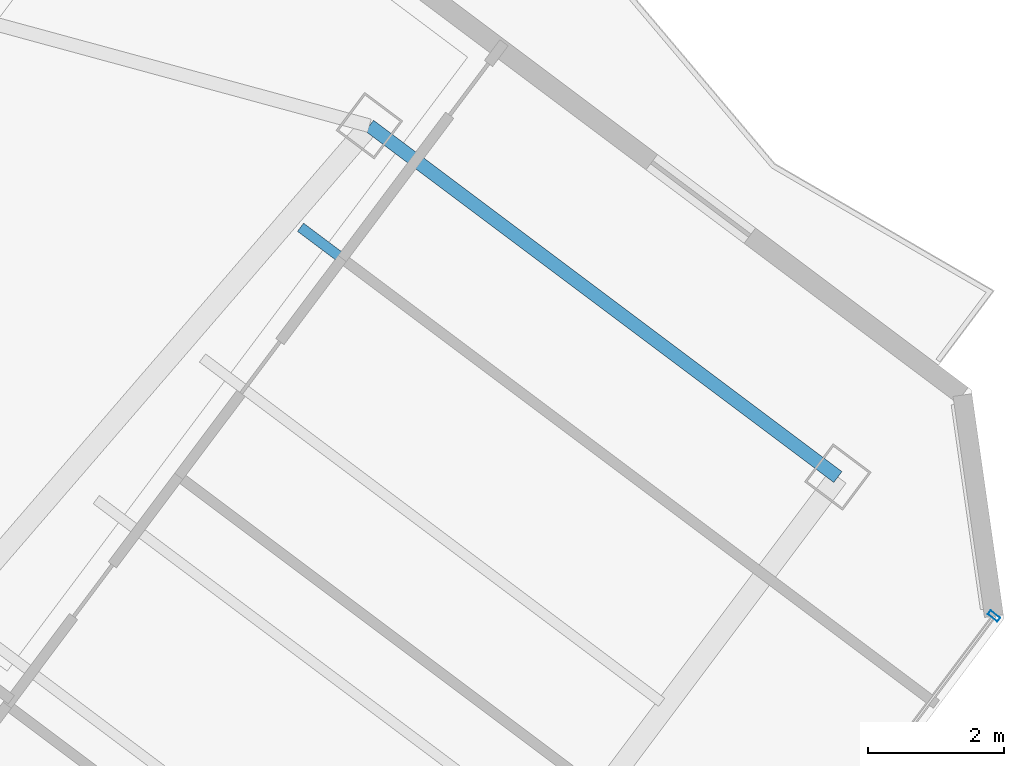
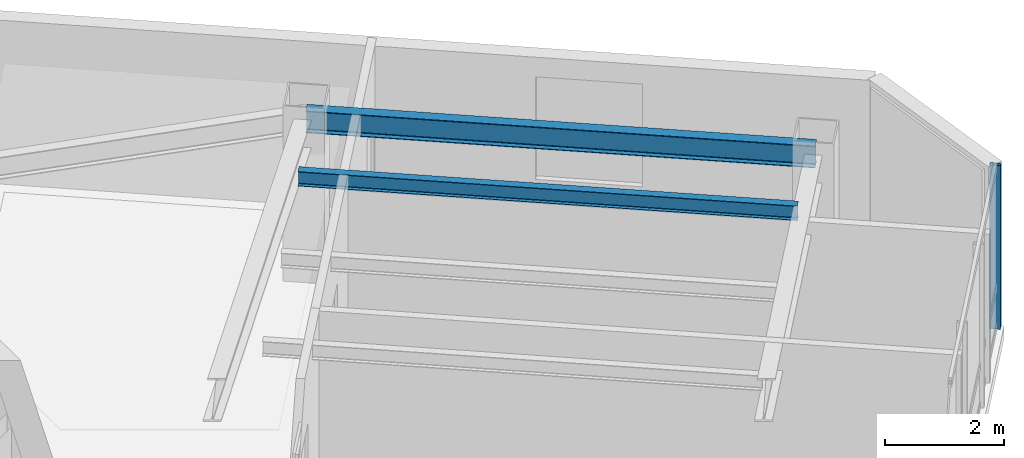
# One storey, part 14 of 25: 2 beams, 1 member, 1 element without a shape of its own.
"""IFC4 building model written with IfcOpenShell, lengths in metres."""

import ifcopenshell
import ifcopenshell.guid

model = None  # the IFC model being written
_history = None  # IfcOwnerHistory: only IFC2X3 demands one
_inside = {}  # id of a spatial element -> (the spatial element, [elements in it])
_under = {}  # id of a project, library or spatial element -> (it, [spatial elements below it])
_declared = {}  # id of a project -> (the project, [libraries it declares])
_typed = {}  # id of a type object -> (the type object, [elements of that type])
_made_of = {}  # id of a material, layer set ... -> (it, [elements and type objects made of it])


def new_model(schema):
    """Start an empty IFC model of exactly this schema.

    Asked for "IFC4X3", IfcOpenShell would pick the latest addendum, in which some entities
    have other attributes; the version numbers below select the first issue.
    IFC2X3 requires an IfcOwnerHistory on every rooted entity: one is made here for all.
    """
    global model, _history
    if schema == "IFC4X3":
        model = ifcopenshell.file(schema_version=(4, 3, 0, 0))
    else:
        model = ifcopenshell.file(schema=schema)
    _inside.clear()
    _under.clear()
    _declared.clear()
    _typed.clear()
    _made_of.clear()
    _history = None
    if model.schema == "IFC2X3":
        org = make("IfcOrganization", Name="unknown")
        user = make(
            "IfcPersonAndOrganization",
            ThePerson=make("IfcPerson", FamilyName="unknown"),
            TheOrganization=org,
        )
        app = make(
            "IfcApplication",
            ApplicationDeveloper=org,
            Version="unknown",
            ApplicationFullName="unknown",
            ApplicationIdentifier="unknown",
        )
        _history = make(
            "IfcOwnerHistory",
            OwningUser=user,
            OwningApplication=app,
            ChangeAction="ADDED",
            CreationDate=0,
        )
    return model


def make(cls, **values):
    """One entity of the class cls with the attributes given. An attribute that is None is left unset."""
    return model.create_entity(
        cls, **{name: value for name, value in values.items() if value is not None}
    )


def rooted(cls, **values):
    """An entity with a GlobalId (a new one), such as an element, a storey or a relation."""
    return make(cls, GlobalId=ifcopenshell.guid.new(), OwnerHistory=_history, **values)


def si_unit(unit_type, name, prefix=None):
    """IfcSIUnit, for example si_unit("LENGTHUNIT", "METRE", prefix="MILLI")."""
    return make("IfcSIUnit", UnitType=unit_type, Prefix=prefix, Name=name)


def assignment(units):
    """IfcUnitAssignment: the units of a project."""
    return None if units is None else make("IfcUnitAssignment", Units=units)


def point(xyz):
    """IfcCartesianPoint."""
    return None if xyz is None else make("IfcCartesianPoint", Coordinates=xyz)


def direction(xyz):
    """IfcDirection."""
    return None if xyz is None else make("IfcDirection", DirectionRatios=xyz)


def frame(location, z_axis=None, x_axis=None):
    """IfcAxis2Placement3D, a coordinate frame: its origin and axes. An axis left out is left unset."""
    return make(
        "IfcAxis2Placement3D",
        Location=point(location),
        Axis=direction(z_axis),
        RefDirection=direction(x_axis),
    )


def frame_2d(location, x_axis=None):
    """IfcAxis2Placement2D, a coordinate frame in the plane: its origin and x axis."""
    return make(
        "IfcAxis2Placement2D", Location=point(location), RefDirection=direction(x_axis)
    )


def origin():
    """The frame at (0, 0, 0) with its axes left unset."""
    return frame((0.0, 0.0, 0.0))


def origin_2d():
    """The frame at (0, 0) in the plane with its x axis left unset."""
    return frame_2d((0.0, 0.0))


def place(relative_to, where):
    """IfcLocalPlacement: puts the frame where relative to a parent placement (None: the world)."""
    return make(
        "IfcLocalPlacement", PlacementRelTo=relative_to, RelativePlacement=where
    )


def context(
    kind, dimensions, precision=None, world=None, true_north=None, identifier=None
):
    """IfcGeometricRepresentationContext, for example the 3D "Model" context."""
    return make(
        "IfcGeometricRepresentationContext",
        ContextIdentifier=identifier,
        ContextType=kind,
        CoordinateSpaceDimension=dimensions,
        Precision=precision,
        WorldCoordinateSystem=world,
        TrueNorth=true_north,
    )


def subcontext(parent, identifier, kind, view, scale=None):
    """IfcGeometricRepresentationSubContext, for example "Body" below "Model"."""
    return make(
        "IfcGeometricRepresentationSubContext",
        ContextIdentifier=identifier,
        ContextType=kind,
        ParentContext=parent,
        TargetScale=scale,
        TargetView=view,
    )


def project(units=None, contexts=None):
    """IfcProject with its units and contexts."""
    return rooted(
        "IfcProject",
        Name="project",
        RepresentationContexts=contexts,
        UnitsInContext=assignment(units),
    )


def spatial(cls, under=None, at=None, **own):
    """A site, building, storey or space (cls), placed at a placement, below another one or the project."""
    s = rooted(cls, ObjectPlacement=at, **own)
    if under is not None:
        _under.setdefault(under.id(), (under, []))[1].append(s)
    return s


def profile(cls, at=None, kind="AREA", **sizes):
    """A parametric profile (cls). Its sizes go by their IFC names, for example OverallWidth=200.0."""
    return make(cls, ProfileType=kind, Position=at, **sizes)


def hollow_rectangle(**sizes):
    """IfcRectangleHollowProfileDef."""
    return profile("IfcRectangleHollowProfileDef", **sizes)


def i_section(**sizes):
    """IfcIShapeProfileDef."""
    return profile("IfcIShapeProfileDef", **sizes)


def extrude(swept, where, along, depth):
    """IfcExtrudedAreaSolid: the profile swept, set in the frame where, extruded along a direction by depth."""
    return make(
        "IfcExtrudedAreaSolid",
        SweptArea=swept,
        Position=where,
        ExtrudedDirection=direction(along),
        Depth=depth,
    )


def shape(context_of_items, identifier, shape_type, items):
    """IfcShapeRepresentation: the items that make up one representation, for example the "Body"."""
    return make(
        "IfcShapeRepresentation",
        ContextOfItems=context_of_items,
        RepresentationIdentifier=identifier,
        RepresentationType=shape_type,
        Items=items,
    )


def material(Name=None, Category=None):
    """IfcMaterial."""
    return make("IfcMaterial", Name=Name, Category=Category)


def layer(
    of_material, thickness, ventilated=None, Name=None, Category=None, Priority=None
):
    """IfcMaterialLayer: one layer of a wall or slab, of a material (None: an air gap)."""
    return make(
        "IfcMaterialLayer",
        Material=of_material,
        LayerThickness=thickness,
        IsVentilated=ventilated,
        Name=Name,
        Category=Category,
        Priority=Priority,
    )


def layer_set(layers, Name=None):
    """IfcMaterialLayerSet."""
    return make("IfcMaterialLayerSet", MaterialLayers=layers, LayerSetName=Name)


def material_profile(
    of_material, cross_section, Name=None, Category=None, Priority=None
):
    """IfcMaterialProfile: a cross section and its material."""
    return make(
        "IfcMaterialProfile",
        Name=Name,
        Material=of_material,
        Profile=cross_section,
        Priority=Priority,
        Category=Category,
    )


def profile_set(profiles, Name=None, composite=None):
    """IfcMaterialProfileSet."""
    return make(
        "IfcMaterialProfileSet",
        Name=Name,
        MaterialProfiles=profiles,
        CompositeProfile=composite,
    )


def made_of(thing, what):
    """Note that an element or type object is made of a material, layer set ...; save() writes the relation."""
    if what is not None:
        _made_of.setdefault(what.id(), (what, []))[1].append(thing)
    return thing


def type_object(cls, material=None, **own):
    """A type object (cls), such as IfcWallType, which elements share."""
    return made_of(rooted(cls, **own), material)


def element(
    cls,
    number,
    at=None,
    inside=None,
    cuts=None,
    type_object=None,
    material=None,
    context=None,
    identifier="Body",
    shape_type=None,
    held_by="IfcProductDefinitionShape",
    body=None,
    shapes=None,
    **own,
):
    """One element of the class cls, such as IfcWall. Its Tag is "e" and its number.

    at: its placement. inside: the storey or other place that contains it. cuts: it is an
    opening in that element (IfcRelVoidsElement). A single representation is given by context,
    identifier, shape_type and body (its items); several are given by shapes. held_by: the class
    of the entity that holds the representations. save() writes the other relations.
    """
    e = rooted(cls, Tag="e%d" % number, ObjectPlacement=at, **own)
    if body is not None:
        shapes = [shape(context, identifier, shape_type, body)]
    if shapes is not None:
        e.Representation = make(held_by, Representations=shapes)
    if inside is not None:
        _inside.setdefault(inside.id(), (inside, []))[1].append(e)
    if cuts is not None:
        rooted(
            "IfcRelVoidsElement", RelatingBuildingElement=cuts, RelatedOpeningElement=e
        )
    if type_object is not None:
        _typed.setdefault(type_object.id(), (type_object, []))[1].append(e)
    return made_of(e, material)


def aggregate(whole, parts):
    """IfcRelAggregates: a whole, such as a stair, and the parts it consists of."""
    return rooted("IfcRelAggregates", RelatingObject=whole, RelatedObjects=parts)


def save(model, path):
    """Write the relations noted so far, then the file.

    IfcRelAggregates (storeys below a building ...), IfcRelContainedInSpatialStructure (elements
    in a storey), IfcRelDefinesByType, IfcRelAssociatesMaterial and IfcRelDeclares: one each for
    every whole, place, type object, material and project.
    """
    for whole, parts in _under.values():
        aggregate(whole, parts)
    for where, things in _inside.values():
        rooted(
            "IfcRelContainedInSpatialStructure",
            RelatedElements=things,
            RelatingStructure=where,
        )
    for kind, things in _typed.values():
        rooted("IfcRelDefinesByType", RelatedObjects=things, RelatingType=kind)
    for what, things in _made_of.values():
        rooted("IfcRelAssociatesMaterial", RelatedObjects=things, RelatingMaterial=what)
    for by, libraries in _declared.values():
        rooted("IfcRelDeclares", RelatingContext=by, RelatedDefinitions=libraries)
    model.write(path)


model = new_model("IFC4")

# Units and contexts
model_context = context("Model", 3, precision=1e-05, world=origin(), true_north=direction((0.0, 1.0)))
body_context = subcontext(model_context, "Body", "Model", "MODEL_VIEW")
ifc_project = project(units=[si_unit("LENGTHUNIT", "METRE"), si_unit("AREAUNIT", "SQUARE_METRE"), si_unit("VOLUMEUNIT", "CUBIC_METRE"), si_unit("PLANEANGLEUNIT", "RADIAN"), si_unit("MASSUNIT", "GRAM", prefix="KILO")], contexts=[model_context])

# Site, building, storey
site_placement = place(None, origin())
site = spatial("IfcSite", under=ifc_project, at=site_placement, CompositionType="ELEMENT")
building_placement = place(site_placement, origin())
building = spatial("IfcBuilding", under=site, at=building_placement, Name="Hatsunagi Terrace Concourse", CompositionType="ELEMENT")
storey_placement = place(building_placement, frame((0.0, 0.0, 223.949951171875)))
storey = spatial("IfcBuildingStorey", under=building, at=storey_placement, Name="L59", CompositionType="ELEMENT", Elevation=223.949951171875)

# Curtain wall, member
ifc_material_1 = material(Name="Anodised Aluminium Alloy 6063-T5", Category="aluminium")
ifc_layer = layer(ifc_material_1, 0.199951171875)
ifc_layer_set = layer_set([ifc_layer], Name="OfficeZone2_CW04")
curtain_wall_type = type_object("IfcCurtainWallType", Name="OfficeZone2_CW04", PredefinedType="NOTDEFINED", material=ifc_layer_set)
curtain_wall_placement = place(storey_placement, origin())
curtain_wall = element("IfcCurtainWall", 1, at=curtain_wall_placement, inside=storey, type_object=curtain_wall_type, Name="Unitised Curtain Wall CW-04 CW-L59-03", PredefinedType="NOTDEFINED")
ifc_material_2 = material(Name="Anodised Aluminium Alloy 6063-T5", Category="aluminium")
ifc_material_profile_1 = material_profile(ifc_material_2, hollow_rectangle(XDim=0.070068359375, YDim=0.179931640625, WallThickness=0.00390625, at=origin_2d()), Name="ALU-MUL-180x70x4")
ifc_profile_set_1 = profile_set([ifc_material_profile_1], Name="Anodised Aluminium Alloy 6063-T5")
member_type = type_object("IfcMemberType", Name="CurtainWallMullion_180x70", PredefinedType="MULLION", material=ifc_profile_set_1)
member_placement = place(storey_placement, frame((60.693115234375, 25.9580078125, 0.0), z_axis=(0.0, 0.0, 1.0), x_axis=(-0.599969314634, -0.800023013105, 0.0)))
member = element("IfcMember", 2, at=member_placement, type_object=member_type, Name="Curtain Wall Mullion MUL-02", PredefinedType="MULLION", context=body_context, shape_type="SweptSolid", body=[
    extrude(hollow_rectangle(XDim=0.070068359375, YDim=0.179931640625, WallThickness=0.00390625, at=origin_2d()), origin(), (0.0, 0.0, 1.0), 3.35009765625),
])
aggregate(curtain_wall, [member])

# Beams
ifc_material_3 = material(Name="Steel SN490B", Category="steel")
ifc_material_profile_2 = material_profile(ifc_material_3, i_section(OverallWidth=0.14990234375, OverallDepth=0.300048828125, WebThickness=0.006591796875, FlangeThickness=0.009033203125, FilletRadius=0.010986328125, at=origin_2d()), Name="H-300x150x6.5x9")
ifc_profile_set_2 = profile_set([ifc_material_profile_2], Name="Steel SN490B")
beam_type_1 = type_object("IfcBeamType", Name="OfficeJoist_H_300x150", PredefinedType="JOIST", material=ifc_profile_set_2)
beam_1_placement = place(storey_placement, frame((50.508056640625, 31.6689453125, 3.199951171875), z_axis=(0.800003475366, -0.59999536615, 0.0), x_axis=(0.59999536615, 0.800003475366, 0.0)))
element("IfcBeam", 3, at=beam_1_placement, inside=storey, type_object=beam_type_1, Name="Beam J-03 J-L59-SE-2-218", PredefinedType="JOIST", context=body_context, shape_type="SweptSolid", body=[
    extrude(i_section(OverallWidth=0.14990234375, OverallDepth=0.300048828125, WebThickness=0.006591796875, FlangeThickness=0.009033203125, FilletRadius=0.010986328125, at=origin_2d()), origin(), (0.0, 0.0, 1.0), 8.429931640625),
])
ifc_material_4 = material(Name="Steel SN490B", Category="steel")
ifc_material_profile_3 = material_profile(ifc_material_4, i_section(OverallWidth=0.199951171875, OverallDepth=0.449951171875, WebThickness=0.009033203125, FlangeThickness=0.013916015625, FilletRadius=0.01611328125, at=origin_2d()), Name="H-450x200x9x14")
ifc_profile_set_3 = profile_set([ifc_material_profile_3], Name="Steel SN490B")
beam_type_2 = type_object("IfcBeamType", Name="PerimeterSpandrel_H_450x200", PredefinedType="SPANDREL", material=ifc_profile_set_3)
beam_2_placement = place(storey_placement, frame((51.52001953125, 33.159912109375, 3.125), z_axis=(0.8, -0.6, 0.0), x_axis=(0.6, 0.8, 0.0)))
element("IfcBeam", 4, at=beam_2_placement, inside=storey, type_object=beam_type_2, Name="Beam SP-02 BM-L59-SE-NE2", PredefinedType="SPANDREL", context=body_context, shape_type="SweptSolid", body=[
    extrude(i_section(OverallWidth=0.199951171875, OverallDepth=0.449951171875, WebThickness=0.009033203125, FlangeThickness=0.013916015625, FilletRadius=0.01611328125, at=origin_2d()), origin(), (0.0, 0.0, 1.0), 8.599853515625),
])

save(model, "model.ifc")
